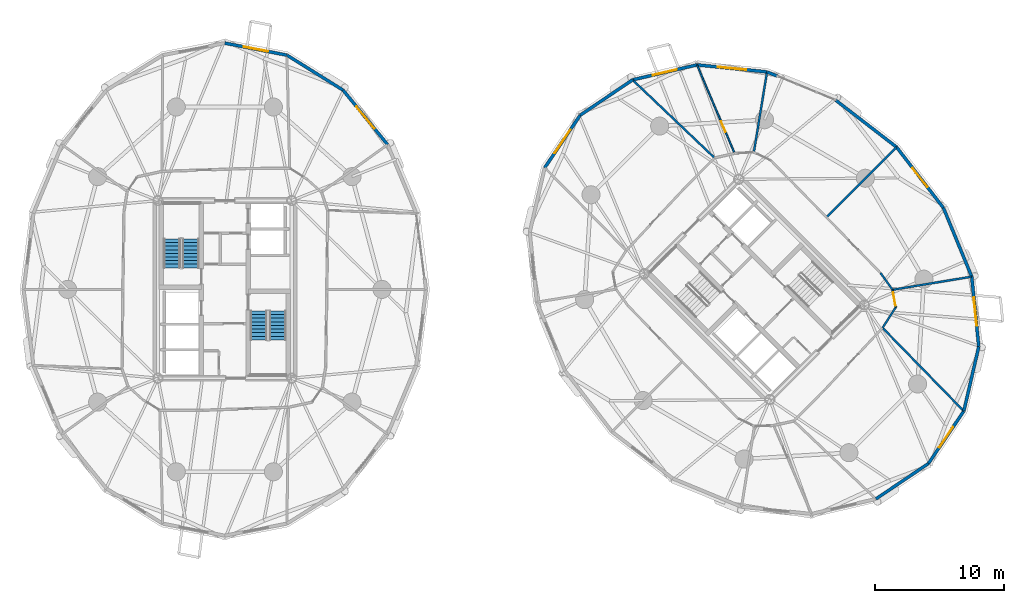
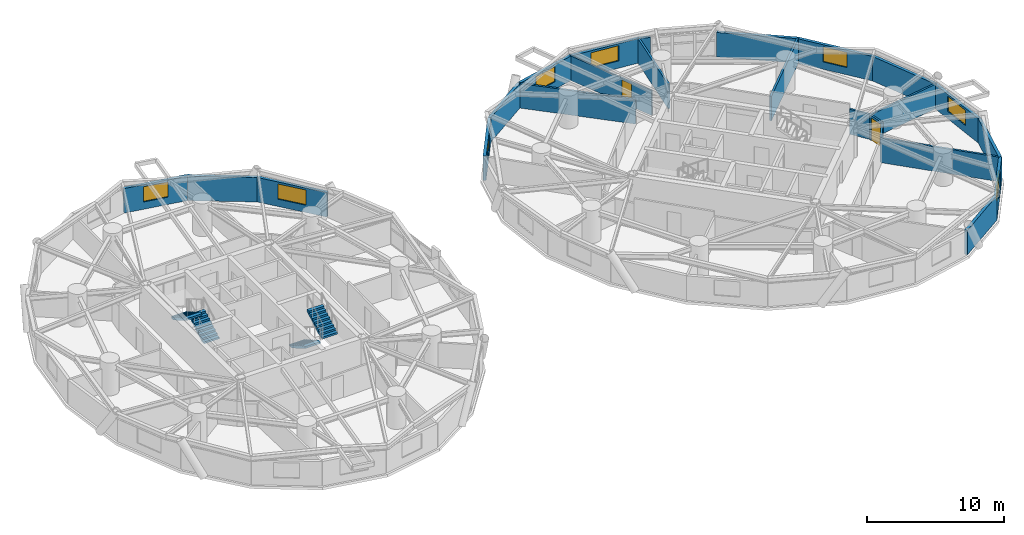
# One storey, part 14 of 17: 24 walls, 8 windows, 4 stair flights, 2 doors, 10 openings, 2 elements without a shape of their own.
"""IFC4 building model written with IfcOpenShell, lengths in metres."""

from ifc_helpers import new_model, si_unit, direction, frame, frame_2d, origin, place, context, subcontext, project, spatial, polyline, rectangle, outline, extrude, source, transform, mapped, material, layer, layer_set, type_object, element, fill, aggregate, save


model = new_model("IFC4")

# Units and contexts
model_context = context("Model", 3, precision=1e-05, world=origin(), true_north=direction((0.0, 1.0)))
body_context = subcontext(model_context, "Body", "Model", "MODEL_VIEW")
ifc_project = project(units=[si_unit("LENGTHUNIT", "METRE"), si_unit("AREAUNIT", "SQUARE_METRE"), si_unit("VOLUMEUNIT", "CUBIC_METRE"), si_unit("PLANEANGLEUNIT", "RADIAN"), si_unit("MASSUNIT", "GRAM", prefix="KILO")], contexts=[model_context])

# Site, building, storey
site_placement = place(None, origin())
site = spatial("IfcSite", under=ifc_project, at=site_placement, CompositionType="ELEMENT")
building_placement = place(site_placement, origin())
building = spatial("IfcBuilding", under=site, at=building_placement, Name="Cununo Teusaquillo Station Towers", CompositionType="ELEMENT")
storey_placement = place(building_placement, frame((0.0, 0.0, 81.7900390625)))
storey = spatial("IfcBuildingStorey", under=building, at=storey_placement, Name="L25", CompositionType="ELEMENT", Elevation=81.7900390625)

# Wall, opening, window
ifc_material_1 = material(Name="Precast concrete C40/50", Category="concrete")
ifc_layer_1 = layer(ifc_material_1, 0.239990234375)
ifc_layer_set_1 = layer_set([ifc_layer_1], Name="Precast concrete C40/50")
wall_type_1 = type_object("IfcWallType", Name="WL-EXT-240", PredefinedType="SOLIDWALL", material=ifc_layer_set_1)
wall_1_placement = place(storey_placement, frame((25.658203125, 39.927978515625, 0.0), z_axis=(0.0, 0.0, 1.0), x_axis=(0.632700781152, -0.77439635945, 0.0)))
wall_1 = element("IfcWall", 1, at=wall_1_placement, inside=storey, type_object=wall_type_1, Name="L25 Tower A Exterior Facade Wall C02", PredefinedType="SOLIDWALL", context=body_context, shape_type="SweptSolid", body=[
    extrude(rectangle(XDim=5.447998046875, YDim=0.239990234375, at=frame_2d((2.72412109375, 0.0))), origin(), (0.0, 0.0, 1.0), 2.178955078125),
])
shared_shape_1 = source(origin(), body_context, "Body", "SweptSolid", [
    extrude(rectangle(XDim=2.199951171875, YDim=1.35009765625, at=frame_2d((1.10009765625, 0.675048828125))), frame((0.0, 0.1298828125, 0.0), z_axis=(0.0, -1.0, 0.0), x_axis=(1.0, 0.0, 0.0)), (0.0, 0.0, 1.0), 0.260009765625),
])
opening_1_placement = place(wall_1_placement, frame((1.6240234375, 0.0, 0.64990234375)))
opening_1 = element("IfcOpeningElement", 2, at=opening_1_placement, cuts=wall_1, Name="Opening WN-01", PredefinedType="OPENING", context=body_context, shape_type="MappedRepresentation", body=[
    mapped(shared_shape_1, transform((0.0, 0.0, 0.0), x_axis=(1.0, 0.0, 0.0), y_axis=(0.0, 1.0, 0.0), z_axis=(0.0, 0.0, 1.0), scale=1.0)),
])
ifc_material_2 = material(Name="Ceramic-fritted dark low-E double glazing", Category="glass")
window_type_1 = type_object("IfcWindowType", Name="WIN-FRIT-2200", PartitioningType="DOUBLE_PANEL_VERTICAL", PredefinedType="WINDOW", material=ifc_material_2)
shared_shape_2 = source(origin(), body_context, "Body", "SweptSolid", [
    extrude(rectangle(XDim=2.199951171875, YDim=1.35009765625, at=frame_2d((1.10009765625, 0.675048828125))), frame((0.0, 0.030029296875, 0.0), z_axis=(0.0, -1.0, 0.0), x_axis=(1.0, 0.0, 0.0)), (0.0, 0.0, 1.0), 0.06005859375),
])
window_1_placement = place(opening_1_placement, origin())
window_1 = element("IfcWindow", 3, at=window_1_placement, inside=storey, type_object=window_type_1, Name="L25 Tower A Facade Window C02", OverallHeight=1.35009765625, OverallWidth=2.199951171875, PartitioningType="DOUBLE_PANEL_VERTICAL", PredefinedType="WINDOW", context=body_context, shape_type="MappedRepresentation", body=[
    mapped(shared_shape_2, transform((0.0, 0.0, 0.0), x_axis=(1.0, 0.0, 0.0), y_axis=(0.0, 1.0, 0.0), z_axis=(0.0, 0.0, 1.0), scale=1.0)),
])
fill(opening_1, window_1)

# Wall
wall_2_placement = place(storey_placement, frame((21.314697265625, 42.63671875, 0.0), z_axis=(0.0, 0.0, 1.0), x_axis=(0.848520380187, -0.529162701263, 0.0)))
element("IfcWall", 4, at=wall_2_placement, inside=storey, type_object=wall_type_1, Name="L25 Tower A Exterior Facade Wall C03", PredefinedType="SOLIDWALL", context=body_context, shape_type="SweptSolid", body=[
    extrude(rectangle(XDim=5.118896484375, YDim=0.239990234375, at=frame_2d((2.5595703125, 0.0))), origin(), (0.0, 0.0, 1.0), 2.178955078125),
])

# Wall, opening, window
wall_3_placement = place(storey_placement, frame((16.5, 43.570068359375, 0.0), z_axis=(0.0, 0.0, 1.0), x_axis=(0.981723785992, -0.190311344954, 0.0)))
wall_3 = element("IfcWall", 5, at=wall_3_placement, inside=storey, type_object=wall_type_1, Name="L25 Tower A Exterior Facade Wall C04", PredefinedType="SOLIDWALL", context=body_context, shape_type="SweptSolid", body=[
    extrude(rectangle(XDim=4.904296875, YDim=0.239990234375, at=frame_2d((2.4521484375, 0.0))), origin(), (0.0, 0.0, 1.0), 2.178955078125),
])
shared_shape_3 = source(origin(), body_context, "Body", "SweptSolid", [
    extrude(rectangle(XDim=1.89990234375, YDim=1.35009765625, at=frame_2d((0.949951171875, 0.675048828125))), frame((0.0, 0.1298828125, 0.0), z_axis=(0.0, -1.0, 0.0), x_axis=(1.0, 0.0, 0.0)), (0.0, 0.0, 1.0), 0.260009765625),
])
opening_2_placement = place(wall_3_placement, frame((1.501953125, 0.0, 0.64990234375)))
opening_2 = element("IfcOpeningElement", 6, at=opening_2_placement, cuts=wall_3, Name="Opening WN-02", PredefinedType="OPENING", context=body_context, shape_type="MappedRepresentation", body=[
    mapped(shared_shape_3, transform((0.0, 0.0, 0.0), x_axis=(1.0, 0.0, 0.0), y_axis=(0.0, 1.0, 0.0), z_axis=(0.0, 0.0, 1.0), scale=1.0)),
])
ifc_material_3 = material(Name="Operable acoustic tinted low-E double glazing", Category="glass")
window_type_2 = type_object("IfcWindowType", Name="WIN-OPER-1900", PartitioningType="DOUBLE_PANEL_VERTICAL", PredefinedType="WINDOW", material=ifc_material_3)
shared_shape_4 = source(origin(), body_context, "Body", "SweptSolid", [
    extrude(rectangle(XDim=1.89990234375, YDim=1.35009765625, at=frame_2d((0.949951171875, 0.675048828125))), frame((0.0, 0.030029296875, 0.0), z_axis=(0.0, -1.0, 0.0), x_axis=(1.0, 0.0, 0.0)), (0.0, 0.0, 1.0), 0.06005859375),
])
window_2_placement = place(opening_2_placement, origin())
window_2 = element("IfcWindow", 7, at=window_2_placement, inside=storey, type_object=window_type_2, Name="L25 Tower A Facade Window C04", OverallHeight=1.35009765625, OverallWidth=1.89990234375, PartitioningType="DOUBLE_PANEL_VERTICAL", PredefinedType="WINDOW", context=body_context, shape_type="MappedRepresentation", body=[
    mapped(shared_shape_4, transform((0.0, 0.0, 0.0), x_axis=(1.0, 0.0, 0.0), y_axis=(0.0, 1.0, 0.0), z_axis=(0.0, 0.0, 1.0), scale=1.0)),
])
fill(opening_2, window_2)

# Walls
wall_4_placement = place(storey_placement, frame((63.811279296875, 39.145263671875, 0.0), z_axis=(0.0, 0.0, 1.0), x_axis=(0.791982052206, -0.61054437102, 0.0)))
element("IfcWall", 8, at=wall_4_placement, inside=storey, type_object=wall_type_1, Name="L25 Tower B Exterior Facade Wall C00", PredefinedType="SOLIDWALL", context=body_context, shape_type="SweptSolid", body=[
    extrude(rectangle(XDim=5.942138671875, YDim=0.239990234375, at=frame_2d((2.97119140625, 0.0))), origin(), (0.0, 0.0, 1.0), 2.178955078125),
])
wall_5_placement = place(storey_placement, frame((58.4873046875, 41.33935546875, 0.0), z_axis=(0.0, 0.0, 1.0), x_axis=(0.924556017656, -0.381046152345, 0.0)))
element("IfcWall", 9, at=wall_5_placement, inside=storey, type_object=wall_type_1, Name="L25 Tower B Column Pier Cladding Wall C01-PA", PredefinedType="SOLIDWALL", context=body_context, shape_type="SweptSolid", body=[
    extrude(rectangle(XDim=0.8701171875, YDim=0.239990234375, at=frame_2d((0.43505859375, 0.0))), origin(), (0.0, 0.0, 1.0), 2.178955078125),
])

# Wall, opening, window
wall_6_placement = place(storey_placement, frame((53.066650390625, 41.885009765625, 0.0), z_axis=(0.0, 0.0, 1.0), x_axis=(0.994971754311, -0.10015591906, 0.0)))
wall_6 = element("IfcWall", 10, at=wall_6_placement, inside=storey, type_object=wall_type_1, Name="L25 Tower B Exterior Facade Wall C02", PredefinedType="SOLIDWALL", context=body_context, shape_type="SweptSolid", body=[
    extrude(rectangle(XDim=5.447998046875, YDim=0.239990234375, at=frame_2d((2.72412109375, 0.0))), origin(), (0.0, 0.0, 1.0), 2.178955078125),
])
opening_3_placement = place(wall_6_placement, frame((1.6240234375, 0.0, 0.64990234375)))
opening_3 = element("IfcOpeningElement", 11, at=opening_3_placement, cuts=wall_6, Name="Opening WN-01", PredefinedType="OPENING", context=body_context, shape_type="MappedRepresentation", body=[
    mapped(shared_shape_1, transform((0.0, 0.0, 0.0), x_axis=(1.0, 0.0, 0.0), y_axis=(0.0, 1.0, 0.0), z_axis=(0.0, 0.0, 1.0), scale=1.0)),
])
window_3_placement = place(opening_3_placement, origin())
window_3 = element("IfcWindow", 12, at=window_3_placement, inside=storey, type_object=window_type_1, Name="L25 Tower B Facade Window C02", OverallHeight=1.35009765625, OverallWidth=2.199951171875, PartitioningType="DOUBLE_PANEL_VERTICAL", PredefinedType="WINDOW", context=body_context, shape_type="MappedRepresentation", body=[
    mapped(shared_shape_2, transform((0.0, 0.0, 0.0), x_axis=(1.0, 0.0, 0.0), y_axis=(0.0, 1.0, 0.0), z_axis=(0.0, 0.0, 1.0), scale=1.0)),
])
fill(opening_3, window_3)

wall_7_placement = place(storey_placement, frame((48.080078125, 40.72900390625, 0.0), z_axis=(0.0, 0.0, 1.0), x_axis=(0.974165631126, 0.225834725257, 0.0)))
wall_7 = element("IfcWall", 13, at=wall_7_placement, inside=storey, type_object=wall_type_1, Name="L25 Tower B Exterior Facade Wall C03", PredefinedType="SOLIDWALL", context=body_context, shape_type="SweptSolid", body=[
    extrude(rectangle(XDim=5.118896484375, YDim=0.239990234375, at=frame_2d((2.5595703125, 0.0))), origin(), (0.0, 0.0, 1.0), 2.178955078125),
])
opening_4_placement = place(wall_7_placement, frame((1.60888671875, 0.0, 0.64990234375)))
opening_4 = element("IfcOpeningElement", 14, at=opening_4_placement, cuts=wall_7, Name="Opening WN-02", PredefinedType="OPENING", context=body_context, shape_type="MappedRepresentation", body=[
    mapped(shared_shape_3, transform((0.0, 0.0, 0.0), x_axis=(1.0, 0.0, 0.0), y_axis=(0.0, 1.0, 0.0), z_axis=(0.0, 0.0, 1.0), scale=1.0)),
])
window_4_placement = place(opening_4_placement, origin())
window_4 = element("IfcWindow", 15, at=window_4_placement, inside=storey, type_object=window_type_2, Name="L25 Tower B Facade Window C03", OverallHeight=1.35009765625, OverallWidth=1.89990234375, PartitioningType="DOUBLE_PANEL_VERTICAL", PredefinedType="WINDOW", context=body_context, shape_type="MappedRepresentation", body=[
    mapped(shared_shape_4, transform((0.0, 0.0, 0.0), x_axis=(1.0, 0.0, 0.0), y_axis=(0.0, 1.0, 0.0), z_axis=(0.0, 0.0, 1.0), scale=1.0)),
])
fill(opening_4, window_4)

# Wall
wall_8_placement = place(storey_placement, frame((44.015380859375, 37.984619140625, 0.0), z_axis=(0.0, 0.0, 1.0), x_axis=(0.828781148131, 0.559572880421, 0.0)))
element("IfcWall", 16, at=wall_8_placement, inside=storey, type_object=wall_type_1, Name="L25 Tower B Exterior Facade Wall C04", PredefinedType="SOLIDWALL", context=body_context, shape_type="SweptSolid", body=[
    extrude(rectangle(XDim=4.904541015625, YDim=0.239990234375, at=frame_2d((2.4521484375, 0.0))), origin(), (0.0, 0.0, 1.0), 2.178955078125),
])

# Wall, opening, window
wall_9_placement = place(storey_placement, frame((41.27099609375, 33.919921875, 0.0), z_axis=(0.0, 0.0, 1.0), x_axis=(0.559572880421, 0.828781148131, 0.0)))
wall_9 = element("IfcWall", 17, at=wall_9_placement, inside=storey, type_object=wall_type_1, Name="L25 Tower B Exterior Facade Wall C05", PredefinedType="SOLIDWALL", context=body_context, shape_type="SweptSolid", body=[
    extrude(rectangle(XDim=4.904541015625, YDim=0.239990234375, at=frame_2d((2.4521484375, 0.0))), origin(), (0.0, 0.0, 1.0), 2.178955078125),
])
opening_5_placement = place(wall_9_placement, frame((1.35205078125, 0.0, 0.64990234375)))
opening_5 = element("IfcOpeningElement", 18, at=opening_5_placement, cuts=wall_9, Name="Opening WN-01", PredefinedType="OPENING", context=body_context, shape_type="MappedRepresentation", body=[
    mapped(shared_shape_1, transform((0.0, 0.0, 0.0), x_axis=(1.0, 0.0, 0.0), y_axis=(0.0, 1.0, 0.0), z_axis=(0.0, 0.0, 1.0), scale=1.0)),
])
window_5_placement = place(opening_5_placement, origin())
window_5 = element("IfcWindow", 19, at=window_5_placement, inside=storey, type_object=window_type_1, Name="L25 Tower B Facade Window C05", OverallHeight=1.35009765625, OverallWidth=2.199951171875, PartitioningType="DOUBLE_PANEL_VERTICAL", PredefinedType="WINDOW", context=body_context, shape_type="MappedRepresentation", body=[
    mapped(shared_shape_2, transform((0.0, 0.0, 0.0), x_axis=(1.0, 0.0, 0.0), y_axis=(0.0, 1.0, 0.0), z_axis=(0.0, 0.0, 1.0), scale=1.0)),
])
fill(opening_5, window_5)

# Wall
wall_10_placement = place(storey_placement, frame((70.984619140625, 11.015380859375, 0.0), z_axis=(0.0, 0.0, 1.0), x_axis=(-0.828781148131, -0.559572880421, 0.0)))
element("IfcWall", 20, at=wall_10_placement, inside=storey, type_object=wall_type_1, Name="L25 Tower B Exterior Facade Wall C14", PredefinedType="SOLIDWALL", context=body_context, shape_type="SweptSolid", body=[
    extrude(rectangle(XDim=4.904541015625, YDim=0.239990234375, at=frame_2d((2.4521484375, 0.0))), origin(), (0.0, 0.0, 1.0), 2.178955078125),
])

# Wall, opening, window
wall_11_placement = place(storey_placement, frame((73.72900390625, 15.080078125, 0.0), z_axis=(0.0, 0.0, 1.0), x_axis=(-0.559572880421, -0.828781148131, 0.0)))
wall_11 = element("IfcWall", 21, at=wall_11_placement, inside=storey, type_object=wall_type_1, Name="L25 Tower B Exterior Facade Wall C15", PredefinedType="SOLIDWALL", context=body_context, shape_type="SweptSolid", body=[
    extrude(rectangle(XDim=4.904541015625, YDim=0.239990234375, at=frame_2d((2.4521484375, 0.0))), origin(), (0.0, 0.0, 1.0), 2.178955078125),
])
opening_6_placement = place(wall_11_placement, frame((1.501953125, 0.0, 0.64990234375)))
opening_6 = element("IfcOpeningElement", 22, at=opening_6_placement, cuts=wall_11, Name="Opening WN-02", PredefinedType="OPENING", context=body_context, shape_type="MappedRepresentation", body=[
    mapped(shared_shape_3, transform((0.0, 0.0, 0.0), x_axis=(1.0, 0.0, 0.0), y_axis=(0.0, 1.0, 0.0), z_axis=(0.0, 0.0, 1.0), scale=1.0)),
])
window_6_placement = place(opening_6_placement, origin())
window_6 = element("IfcWindow", 23, at=window_6_placement, inside=storey, type_object=window_type_2, Name="L25 Tower B Facade Window C15", OverallHeight=1.35009765625, OverallWidth=1.89990234375, PartitioningType="DOUBLE_PANEL_VERTICAL", PredefinedType="WINDOW", context=body_context, shape_type="MappedRepresentation", body=[
    mapped(shared_shape_4, transform((0.0, 0.0, 0.0), x_axis=(1.0, 0.0, 0.0), y_axis=(0.0, 1.0, 0.0), z_axis=(0.0, 0.0, 1.0), scale=1.0)),
])
fill(opening_6, window_6)

# Wall
wall_12_placement = place(storey_placement, frame((74.885009765625, 20.066650390625, 0.0), z_axis=(0.0, 0.0, 1.0), x_axis=(-0.225834725257, -0.974165631126, 0.0)))
element("IfcWall", 24, at=wall_12_placement, inside=storey, type_object=wall_type_1, Name="L25 Tower B Exterior Facade Wall C16", PredefinedType="SOLIDWALL", context=body_context, shape_type="SweptSolid", body=[
    extrude(rectangle(XDim=5.118896484375, YDim=0.239990234375, at=frame_2d((2.5595703125, 0.0))), origin(), (0.0, 0.0, 1.0), 2.178955078125),
])

# Wall, opening, window
wall_13_placement = place(storey_placement, frame((74.33935546875, 25.4873046875, 0.0), z_axis=(0.0, 0.0, 1.0), x_axis=(0.10015591906, -0.994971754311, 0.0)))
wall_13 = element("IfcWall", 25, at=wall_13_placement, inside=storey, type_object=wall_type_1, Name="L25 Tower B Exterior Facade Wall C17", PredefinedType="SOLIDWALL", context=body_context, shape_type="SweptSolid", body=[
    extrude(rectangle(XDim=5.447998046875, YDim=0.239990234375, at=frame_2d((2.72412109375, 0.0))), origin(), (0.0, 0.0, 1.0), 2.178955078125),
])
opening_7_placement = place(wall_13_placement, frame((1.6240234375, 0.0, 0.64990234375)))
opening_7 = element("IfcOpeningElement", 26, at=opening_7_placement, cuts=wall_13, Name="Opening WN-01", PredefinedType="OPENING", context=body_context, shape_type="MappedRepresentation", body=[
    mapped(shared_shape_1, transform((0.0, 0.0, 0.0), x_axis=(1.0, 0.0, 0.0), y_axis=(0.0, 1.0, 0.0), z_axis=(0.0, 0.0, 1.0), scale=1.0)),
])
window_7_placement = place(opening_7_placement, origin())
window_7 = element("IfcWindow", 27, at=window_7_placement, inside=storey, type_object=window_type_1, Name="L25 Tower B Facade Window C17", OverallHeight=1.35009765625, OverallWidth=2.199951171875, PartitioningType="DOUBLE_PANEL_VERTICAL", PredefinedType="WINDOW", context=body_context, shape_type="MappedRepresentation", body=[
    mapped(shared_shape_2, transform((0.0, 0.0, 0.0), x_axis=(1.0, 0.0, 0.0), y_axis=(0.0, 1.0, 0.0), z_axis=(0.0, 0.0, 1.0), scale=1.0)),
])
fill(opening_7, window_7)

# Wall
wall_14_placement = place(storey_placement, frame((72.145263671875, 30.811279296875, 0.0), z_axis=(0.0, 0.0, 1.0), x_axis=(0.381027003055, -0.924563909604, 0.0)))
element("IfcWall", 28, at=wall_14_placement, inside=storey, type_object=wall_type_1, Name="L25 Tower B Exterior Facade Wall C18", PredefinedType="SOLIDWALL", context=body_context, shape_type="SweptSolid", body=[
    extrude(rectangle(XDim=5.75830078125, YDim=0.239990234375, at=frame_2d((2.879150390625, 0.0))), origin(), (0.0, 0.0, 1.0), 2.178955078125),
])

# Wall, opening, window
wall_15_placement = place(storey_placement, frame((68.517333984375, 35.517333984375, 0.0), z_axis=(0.0, 0.0, 1.0), x_axis=(0.61054437102, -0.791982052206, 0.0)))
wall_15 = element("IfcWall", 29, at=wall_15_placement, inside=storey, type_object=wall_type_1, Name="L25 Tower B Exterior Facade Wall C19", PredefinedType="SOLIDWALL", context=body_context, shape_type="SweptSolid", body=[
    extrude(rectangle(XDim=5.942138671875, YDim=0.239990234375, at=frame_2d((2.97119140625, 0.0))), origin(), (0.0, 0.0, 1.0), 2.178955078125),
])
opening_8_placement = place(wall_15_placement, frame((2.02099609375, 0.0, 0.64990234375)))
opening_8 = element("IfcOpeningElement", 30, at=opening_8_placement, cuts=wall_15, Name="Opening WN-02", PredefinedType="OPENING", context=body_context, shape_type="MappedRepresentation", body=[
    mapped(shared_shape_3, transform((0.0, 0.0, 0.0), x_axis=(1.0, 0.0, 0.0), y_axis=(0.0, 1.0, 0.0), z_axis=(0.0, 0.0, 1.0), scale=1.0)),
])
window_8_placement = place(opening_8_placement, origin())
window_8 = element("IfcWindow", 31, at=window_8_placement, inside=storey, type_object=window_type_2, Name="L25 Tower B Facade Window C19", OverallHeight=1.35009765625, OverallWidth=1.89990234375, PartitioningType="DOUBLE_PANEL_VERTICAL", PredefinedType="WINDOW", context=body_context, shape_type="MappedRepresentation", body=[
    mapped(shared_shape_4, transform((0.0, 0.0, 0.0), x_axis=(1.0, 0.0, 0.0), y_axis=(0.0, 1.0, 0.0), z_axis=(0.0, 0.0, 1.0), scale=1.0)),
])
fill(opening_8, window_8)

# Wall, opening, door
ifc_material_4 = material(Name="Fire-rated gypsum plasterboard partition assembly", Category="gypsum")
ifc_layer_2 = layer(ifc_material_4, 0.125)
ifc_layer_set_2 = layer_set([ifc_layer_2], Name="Fire-rated gypsum plasterboard partition assembly")
wall_type_2 = type_object("IfcWallType", Name="WL-PART-125", PredefinedType="PARTITIONING", material=ifc_layer_set_2)
wall_16_placement = place(storey_placement, frame((55.98388671875, 35.035400390625, 0.0), z_axis=(0.0, 0.0, 1.0), x_axis=(-0.392438685048, 0.919778168081, 0.0)))
wall_16 = element("IfcWall", 32, at=wall_16_placement, inside=storey, type_object=wall_type_2, Name="L25 Tower B Legal Arbitration Hearing Room Suite Subdividing Wall", PredefinedType="PARTITIONING", context=body_context, shape_type="SweptSolid", body=[
    extrude(rectangle(XDim=7.425537109375, YDim=0.125, at=frame_2d((3.712890625, 0.0))), origin(), (0.0, 0.0, 1.0), 2.178955078125),
])
shared_shape_5 = source(origin(), body_context, "Body", "SweptSolid", [
    extrude(rectangle(XDim=0.89990234375, YDim=2.0048828125, at=frame_2d((0.449951171875, 1.00244140625))), frame((0.0, 0.072509765625, 0.0), z_axis=(0.0, -1.0, 0.0), x_axis=(1.0, 0.0, 0.0)), (0.0, 0.0, 1.0), 0.14501953125),
])
opening_9_placement = place(wall_16_placement, frame((1.800048828125, 0.0, 0.0)))
opening_9 = element("IfcOpeningElement", 33, at=opening_9_placement, cuts=wall_16, Name="Opening D-IN1", PredefinedType="OPENING", context=body_context, shape_type="MappedRepresentation", body=[
    mapped(shared_shape_5, transform((0.0, 0.0, 0.0), x_axis=(1.0, 0.0, 0.0), y_axis=(0.0, 1.0, 0.0), z_axis=(0.0, 0.0, 1.0), scale=1.0)),
])
ifc_material_5 = material(Name="Acoustic solid-core hardwood leaf assembly", Category="wood")
door_type_1 = type_object("IfcDoorType", Name="DR-INT-900", OperationType="NOTDEFINED", PredefinedType="DOOR", material=ifc_material_5)
shared_shape_6 = source(origin(), body_context, "Body", "SweptSolid", [
    extrude(rectangle(XDim=0.89990234375, YDim=2.0048828125, at=frame_2d((0.449951171875, 1.00244140625))), frame((0.0, 0.02490234375, 0.0), z_axis=(0.0, -1.0, 0.0), x_axis=(1.0, 0.0, 0.0)), (0.0, 0.0, 1.0), 0.050048828125),
])
door_1_placement = place(opening_9_placement, origin())
door_1 = element("IfcDoor", 34, at=door_1_placement, inside=storey, type_object=door_type_1, Name="L25 Tower B Legal Arbitration Hearing Room Suite Connecting Door", OperationType="SINGLE_SWING_RIGHT", OverallHeight=2.0048828125, OverallWidth=0.89990234375, PredefinedType="DOOR", context=body_context, shape_type="MappedRepresentation", body=[
    mapped(shared_shape_6, transform((0.0, 0.0, 0.0), x_axis=(1.0, 0.0, 0.0), y_axis=(0.0, 1.0, 0.0), z_axis=(0.0, 0.0, 1.0), scale=1.0)),
])
fill(opening_9, door_1)

# Wall
ifc_material_6 = material(Name="Fire-rated gypsum plasterboard partition assembly", Category="gypsum")
ifc_layer_3 = layer(ifc_material_6, 0.14990234375)
ifc_layer_set_3 = layer_set([ifc_layer_3], Name="Fire-rated gypsum plasterboard partition assembly")
wall_type_3 = type_object("IfcWallType", Name="WL-PART-150", PredefinedType="PARTITIONING", material=ifc_layer_set_3)
wall_17_placement = place(storey_placement, frame((67.4345703125, 21.521484375, 0.0), z_axis=(0.0, 0.0, 1.0), x_axis=(0.540777197838, 0.841165870859, 0.0)))
element("IfcWall", 35, at=wall_17_placement, inside=storey, type_object=wall_type_3, Name="L25 Tower B Corridor Ring Wall C16", PredefinedType="PARTITIONING", context=body_context, shape_type="SweptSolid", body=[
    extrude(rectangle(XDim=1.887939453125, YDim=0.14990234375, at=frame_2d((0.94384765625, 0.0))), origin(), (0.0, 0.0, 1.0), 2.224853515625),
])

# Wall, opening, door
wall_18_placement = place(storey_placement, frame((68.45556640625, 23.109619140625, 0.0), z_axis=(0.0, 0.0, 1.0), x_axis=(-0.1772522795, 0.984165448191, 0.0)))
wall_18 = element("IfcWall", 36, at=wall_18_placement, inside=storey, type_object=wall_type_3, Name="L25 Tower B Corridor Ring Wall C17", PredefinedType="PARTITIONING", context=body_context, shape_type="SweptSolid", body=[
    extrude(rectangle(XDim=1.381591796875, YDim=0.14990234375, at=frame_2d((0.69091796875, 0.0))), origin(), (0.0, 0.0, 1.0), 2.224853515625),
])
shared_shape_7 = source(origin(), body_context, "Body", "SweptSolid", [
    extrude(rectangle(XDim=1.050048828125, YDim=2.014892578125, at=frame_2d((0.52490234375, 1.00732421875))), frame((0.0, 0.0849609375, 0.0), z_axis=(0.0, -1.0, 0.0), x_axis=(1.0, 0.0, 0.0)), (0.0, 0.0, 1.0), 0.169921875),
])
opening_10_placement = place(wall_18_placement, frame((0.1201171875, 0.0, 0.0)))
opening_10 = element("IfcOpeningElement", 37, at=opening_10_placement, cuts=wall_18, Name="Opening D-SU1", PredefinedType="OPENING", context=body_context, shape_type="MappedRepresentation", body=[
    mapped(shared_shape_7, transform((0.0, 0.0, 0.0), x_axis=(1.0, 0.0, 0.0), y_axis=(0.0, 1.0, 0.0), z_axis=(0.0, 0.0, 1.0), scale=1.0)),
])
ifc_material_7 = material(Name="Acoustic solid-core hardwood leaf assembly", Category="wood")
door_type_2 = type_object("IfcDoorType", Name="DR-SUITE-1050", OperationType="NOTDEFINED", PredefinedType="DOOR", material=ifc_material_7)
shared_shape_8 = source(origin(), body_context, "Body", "SweptSolid", [
    extrude(rectangle(XDim=1.050048828125, YDim=2.014892578125, at=frame_2d((0.52490234375, 1.00732421875))), frame((0.0, 0.02490234375, 0.0), z_axis=(0.0, -1.0, 0.0), x_axis=(1.0, 0.0, 0.0)), (0.0, 0.0, 1.0), 0.050048828125),
])
door_2_placement = place(opening_10_placement, origin())
door_2 = element("IfcDoor", 38, at=door_2_placement, inside=storey, type_object=door_type_2, Name="L25 Tower B Document Archive & Server Room Entrance Door", OperationType="SINGLE_SWING_RIGHT", OverallHeight=2.014892578125, OverallWidth=1.050048828125, PredefinedType="DOOR", context=body_context, shape_type="MappedRepresentation", body=[
    mapped(shared_shape_8, transform((0.0, 0.0, 0.0), x_axis=(1.0, 0.0, 0.0), y_axis=(0.0, 1.0, 0.0), z_axis=(0.0, 0.0, 1.0), scale=1.0)),
])
fill(opening_10, door_2)

# Walls
wall_19_placement = place(storey_placement, frame((68.210693359375, 24.46923828125, 0.0), z_axis=(0.0, 0.0, 1.0), x_axis=(-0.583012141368, 0.812463441034, 0.0)))
element("IfcWall", 39, at=wall_19_placement, inside=storey, type_object=wall_type_3, Name="L25 Tower B Corridor Ring Wall C18", PredefinedType="PARTITIONING", context=body_context, shape_type="SweptSolid", body=[
    extrude(rectangle(XDim=1.613037109375, YDim=0.14990234375, at=frame_2d((0.806640625, 0.0))), origin(), (0.0, 0.0, 1.0), 2.224853515625),
])
ifc_material_8 = material(Name="Fire-rated gypsum plasterboard partition assembly", Category="gypsum")
ifc_layer_4 = layer(ifc_material_8, 0.159912109375)
ifc_layer_set_4 = layer_set([ifc_layer_4], Name="Fire-rated gypsum plasterboard partition assembly")
wall_type_4 = type_object("IfcWallType", Name="WL-PART-160", PredefinedType="PARTITIONING", material=ifc_layer_set_4)
wall_20_placement = place(storey_placement, frame((63.086181640625, 30.086181640625, 0.0), z_axis=(0.0, 0.0, 1.0), x_axis=(0.707106781187, 0.707106781187, 0.0)))
element("IfcWall", 40, at=wall_20_placement, inside=storey, type_object=wall_type_4, Name="L25 Tower B Radial Suite Partition R01", PredefinedType="PARTITIONING", context=body_context, shape_type="SweptSolid", body=[
    extrude(rectangle(XDim=7.6611328125, YDim=0.159912109375, at=frame_2d((3.83056640625, 0.0))), origin(), (0.0, 0.0, 1.0), 2.178955078125),
])
wall_21_placement = place(storey_placement, frame((57.466796875, 35.111328125, 0.0), z_axis=(0.0, 0.0, 1.0), x_axis=(0.161711214096, 0.98683812413, 0.0)))
element("IfcWall", 41, at=wall_21_placement, inside=storey, type_object=wall_type_4, Name="L25 Tower B Radial Suite Partition R02", PredefinedType="PARTITIONING", context=body_context, shape_type="SweptSolid", body=[
    extrude(rectangle(XDim=6.291015625, YDim=0.159912109375, at=frame_2d((3.1455078125, 0.0))), origin(), (0.0, 0.0, 1.0), 2.178955078125),
])
wall_22_placement = place(storey_placement, frame((54.426513671875, 34.6826171875, 0.0), z_axis=(0.0, 0.0, 1.0), x_axis=(-0.72454072322, 0.689231993161, 0.0)))
element("IfcWall", 42, at=wall_22_placement, inside=storey, type_object=wall_type_4, Name="L25 Tower B Radial Suite Partition R03", PredefinedType="PARTITIONING", context=body_context, shape_type="SweptSolid", body=[
    extrude(rectangle(XDim=8.746826171875, YDim=0.159912109375, at=frame_2d((4.37353515625, 0.0))), origin(), (0.0, 0.0, 1.0), 2.178955078125),
])
wall_23_placement = place(storey_placement, frame((67.4345703125, 21.521484375, 0.0), z_axis=(0.0, 0.0, 1.0), x_axis=(0.6983880073, -0.715719352302, 0.0)))
element("IfcWall", 43, at=wall_23_placement, inside=storey, type_object=wall_type_4, Name="L25 Tower B Radial Suite Partition R09", PredefinedType="PARTITIONING", context=body_context, shape_type="SweptSolid", body=[
    extrude(rectangle(XDim=8.9873046875, YDim=0.159912109375, at=frame_2d((4.49365234375, 0.0))), origin(), (0.0, 0.0, 1.0), 2.178955078125),
])
wall_24_placement = place(storey_placement, frame((68.210693359375, 24.46923828125, 0.0), z_axis=(0.0, 0.0, 1.0), x_axis=(0.986479033329, 0.163887512651, 0.0)))
element("IfcWall", 44, at=wall_24_placement, inside=storey, type_object=wall_type_4, Name="L25 Tower B Radial Suite Partition R10", PredefinedType="PARTITIONING", context=body_context, shape_type="SweptSolid", body=[
    extrude(rectangle(XDim=6.192626953125, YDim=0.159912109375, at=frame_2d((3.09619140625, 0.0))), origin(), (0.0, 0.0, 1.0), 2.178955078125),
])

# Stair, stair flights
ifc_material_9 = material(Name="Concrete C50/60", Category="concrete")
stair_type = type_object("IfcStairType", Name="ST-TWR-1300", PredefinedType="HALF_TURN_STAIR", material=ifc_material_9)
stair_1_placement = place(storey_placement, origin())
stair_1 = element("IfcStair", 45, at=stair_1_placement, inside=storey, type_object=stair_type, Name="L25 Tower A Protected Core Exit Stair 1", PredefinedType="HALF_TURN_STAIR")
ifc_material_10 = material(Name="Concrete C50/60", Category="concrete")
stair_flight_type = type_object("IfcStairFlightType", Name="SFL-TWR-1300", PredefinedType="STRAIGHT", material=ifc_material_10)
stair_flight_1_placement = place(storey_placement, frame((13.8701171875, 26.169921875, 0.0), z_axis=(0.0, 0.0, 1.0), x_axis=(0.0, 1.0, 0.0)))
stair_flight_1 = element("IfcStairFlight", 46, at=stair_flight_1_placement, type_object=stair_flight_type, Name="ST-T1-1 flight 1", NumberOfRisers=9, NumberOfTreads=8, PredefinedType="STRAIGHT", RiserHeight=0.161666667, TreadLength=0.28, context=body_context, shape_type="SweptSolid", body=[
    extrude(outline(polyline([(0.0, 0.0), (0.0, 0.16162109375), (0.280029296875, 0.16162109375), (0.280029296875, 0.3232421875), (0.56005859375, 0.3232421875), (0.56005859375, 0.485107421875), (0.840087890625, 0.485107421875), (0.840087890625, 0.646728515625), (1.1201171875, 0.646728515625), (1.1201171875, 0.808349609375), (1.39990234375, 0.808349609375), (1.39990234375, 0.969970703125), (1.679931640625, 0.969970703125), (1.679931640625, 1.131591796875), (1.9599609375, 1.131591796875), (1.9599609375, 1.293212890625), (2.239990234375, 1.293212890625), (2.239990234375, 1.455078125), (2.239990234375, 1.1201171875), (0.2998046875, 0.0), (0.0, 0.0)])), frame((0.0, 0.64990234375, 0.0), z_axis=(0.0, -1.0, 0.0), x_axis=(1.0, 0.0, 0.0)), (0.0, 0.0, 1.0), 1.300048828125),
])
stair_flight_2_placement = place(storey_placement, frame((12.409912109375, 28.409912109375, 1.455078125), z_axis=(0.0, 0.0, 1.0), x_axis=(0.0, -1.0, 0.0)))
stair_flight_2 = element("IfcStairFlight", 47, at=stair_flight_2_placement, type_object=stair_flight_type, Name="ST-T1-1 flight 2", NumberOfRisers=9, NumberOfTreads=8, PredefinedType="STRAIGHT", RiserHeight=0.161666667, TreadLength=0.28, context=body_context, shape_type="SweptSolid", body=[
    extrude(outline(polyline([(0.0, 0.0), (0.0, 0.16162109375), (0.280029296875, 0.16162109375), (0.280029296875, 0.3232421875), (0.56005859375, 0.3232421875), (0.56005859375, 0.485107421875), (0.840087890625, 0.485107421875), (0.840087890625, 0.646728515625), (1.1201171875, 0.646728515625), (1.1201171875, 0.808349609375), (1.39990234375, 0.808349609375), (1.39990234375, 0.969970703125), (1.679931640625, 0.969970703125), (1.679931640625, 1.131591796875), (1.9599609375, 1.131591796875), (1.9599609375, 1.293212890625), (2.239990234375, 1.293212890625), (2.239990234375, 1.455078125), (2.239990234375, 1.1201171875), (0.2998046875, 0.0), (0.0, 0.0)])), frame((0.0, 0.64990234375, 0.0), z_axis=(0.0, -1.0, 0.0), x_axis=(1.0, 0.0, 0.0)), (0.0, 0.0, 1.0), 1.300048828125),
])
aggregate(stair_1, [stair_flight_1, stair_flight_2])

stair_2_placement = place(storey_placement, origin())
stair_2 = element("IfcStair", 48, at=stair_2_placement, inside=storey, type_object=stair_type, Name="L25 Tower A Protected Core Exit Stair 2", PredefinedType="HALF_TURN_STAIR")
stair_flight_3_placement = place(storey_placement, frame((19.1298828125, 22.830078125, 0.0), z_axis=(0.0, 0.0, 1.0), x_axis=(0.0, -1.0, 0.0)))
stair_flight_3 = element("IfcStairFlight", 49, at=stair_flight_3_placement, type_object=stair_flight_type, Name="ST-T1-2 flight 1", NumberOfRisers=9, NumberOfTreads=8, PredefinedType="STRAIGHT", RiserHeight=0.161666667, TreadLength=0.28, context=body_context, shape_type="SweptSolid", body=[
    extrude(outline(polyline([(0.0, 0.0), (0.0, 0.16162109375), (0.280029296875, 0.16162109375), (0.280029296875, 0.3232421875), (0.56005859375, 0.3232421875), (0.56005859375, 0.485107421875), (0.840087890625, 0.485107421875), (0.840087890625, 0.646728515625), (1.1201171875, 0.646728515625), (1.1201171875, 0.808349609375), (1.39990234375, 0.808349609375), (1.39990234375, 0.969970703125), (1.679931640625, 0.969970703125), (1.679931640625, 1.131591796875), (1.9599609375, 1.131591796875), (1.9599609375, 1.293212890625), (2.239990234375, 1.293212890625), (2.239990234375, 1.455078125), (2.239990234375, 1.1201171875), (0.2998046875, 0.0), (0.0, 0.0)])), frame((0.0, 0.64990234375, 0.0), z_axis=(0.0, -1.0, 0.0), x_axis=(1.0, 0.0, 0.0)), (0.0, 0.0, 1.0), 1.300048828125),
])
stair_flight_4_placement = place(storey_placement, frame((20.590087890625, 20.590087890625, 1.455078125), z_axis=(0.0, 0.0, 1.0), x_axis=(0.0, 1.0, 0.0)))
stair_flight_4 = element("IfcStairFlight", 50, at=stair_flight_4_placement, type_object=stair_flight_type, Name="ST-T1-2 flight 2", NumberOfRisers=9, NumberOfTreads=8, PredefinedType="STRAIGHT", RiserHeight=0.161666667, TreadLength=0.28, context=body_context, shape_type="SweptSolid", body=[
    extrude(outline(polyline([(0.0, 0.0), (0.0, 0.16162109375), (0.280029296875, 0.16162109375), (0.280029296875, 0.3232421875), (0.56005859375, 0.3232421875), (0.56005859375, 0.485107421875), (0.840087890625, 0.485107421875), (0.840087890625, 0.646728515625), (1.1201171875, 0.646728515625), (1.1201171875, 0.808349609375), (1.39990234375, 0.808349609375), (1.39990234375, 0.969970703125), (1.679931640625, 0.969970703125), (1.679931640625, 1.131591796875), (1.9599609375, 1.131591796875), (1.9599609375, 1.293212890625), (2.239990234375, 1.293212890625), (2.239990234375, 1.455078125), (2.239990234375, 1.1201171875), (0.2998046875, 0.0), (0.0, 0.0)])), frame((0.0, 0.64990234375, 0.0), z_axis=(0.0, -1.0, 0.0), x_axis=(1.0, 0.0, 0.0)), (0.0, 0.0, 1.0), 1.300048828125),
])
aggregate(stair_2, [stair_flight_3, stair_flight_4])

save(model, "model.ifc")
